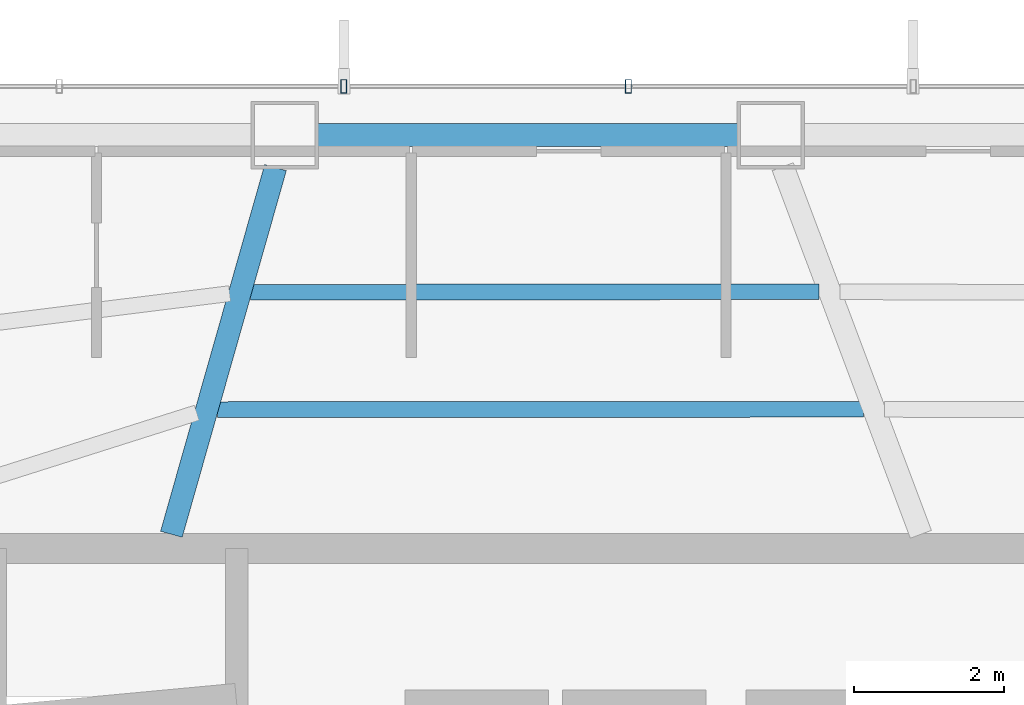
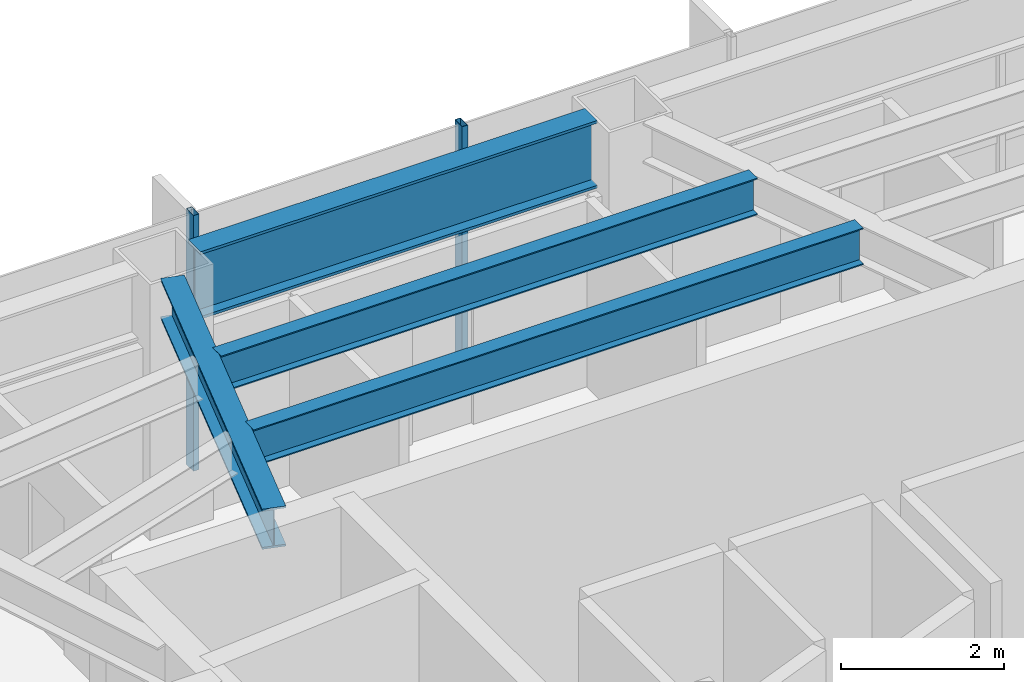
# One storey, part 12 of 25: 4 beams, 2 members, 1 element without a shape of its own.
"""IFC4 building model written with IfcOpenShell, lengths in metres."""

from ifc_helpers import new_model, si_unit, direction, frame, origin, origin_2d, place, context, subcontext, project, spatial, hollow_rectangle, i_section, extrude, material, layer, layer_set, material_profile, profile_set, type_object, element, aggregate, save


model = new_model("IFC4")

# Units and contexts
model_context = context("Model", 3, precision=1e-05, world=origin(), true_north=direction((0.0, 1.0)))
body_context = subcontext(model_context, "Body", "Model", "MODEL_VIEW")
ifc_project = project(units=[si_unit("LENGTHUNIT", "METRE"), si_unit("AREAUNIT", "SQUARE_METRE"), si_unit("VOLUMEUNIT", "CUBIC_METRE"), si_unit("PLANEANGLEUNIT", "RADIAN"), si_unit("MASSUNIT", "GRAM", prefix="KILO")], contexts=[model_context])

# Site, building, storey
site_placement = place(None, origin())
site = spatial("IfcSite", under=ifc_project, at=site_placement, CompositionType="ELEMENT")
building_placement = place(site_placement, origin())
building = spatial("IfcBuilding", under=site, at=building_placement, Name="Zarrinselat Tower", CompositionType="ELEMENT")
storey_placement = place(building_placement, frame((0.0, 0.0, 84.659912109375)))
storey = spatial("IfcBuildingStorey", under=building, at=storey_placement, Name="L20", CompositionType="ELEMENT", Elevation=84.659912109375)

# Beams
ifc_material_1 = material(Name="Steel S355J2", Category="steel")
ifc_material_profile_1 = material_profile(ifc_material_1, i_section(OverallWidth=0.300048828125, OverallDepth=0.60009765625, WebThickness=0.015380859375, FlangeThickness=0.030029296875, at=origin_2d()), Name="HEB 600")
ifc_profile_set_1 = profile_set([ifc_material_profile_1], Name="Steel S355J2")
beam_type_1 = type_object("IfcBeamType", Name="BM-HEB600", PredefinedType="BEAM", material=ifc_profile_set_1)
beam_1_placement = place(storey_placement, frame((31.0, 43.639892578125, 3.52001953125), z_axis=(0.273160985229, 0.961968334275, 0.0), x_axis=(-0.961968334275, 0.273160985229, 0.0)))
element("IfcBeam", 1, at=beam_1_placement, inside=storey, type_object=beam_type_1, Name="L20 Radial Primary Girder RG04", PredefinedType="BEAM", context=body_context, shape_type="SweptSolid", body=[
    extrude(i_section(OverallWidth=0.300048828125, OverallDepth=0.60009765625, WebThickness=0.015380859375, FlangeThickness=0.030029296875, at=origin_2d()), origin(), (0.0, 0.0, 1.0), 5.08544921875),
])
ifc_material_2 = material(Name="Steel S460M", Category="steel")
ifc_material_profile_2 = material_profile(ifc_material_2, i_section(OverallWidth=0.302001953125, OverallDepth=1.008056640625, WebThickness=0.02099609375, FlangeThickness=0.0400390625, at=origin_2d()), Name="HEM 1000")
ifc_profile_set_2 = profile_set([ifc_material_profile_2], Name="Steel S460M")
beam_type_2 = type_object("IfcBeamType", Name="BM-HEM1000", PredefinedType="BEAM", material=ifc_profile_set_2)
beam_2_placement = place(storey_placement, frame((32.95068359375, 48.966796875, 3.316162109375), z_axis=(1.0, 0.0, 0.0), x_axis=(0.0, 1.0, 0.0)))
element("IfcBeam", 2, at=beam_2_placement, inside=storey, type_object=beam_type_2, Name="L20 Perimeter Spandrel Girder SP03", PredefinedType="BEAM", context=body_context, shape_type="SweptSolid", body=[
    extrude(i_section(OverallWidth=0.302001953125, OverallDepth=1.008056640625, WebThickness=0.02099609375, FlangeThickness=0.0400390625, at=origin_2d()), origin(), (0.0, 0.0, 1.0), 5.609375),
])
ifc_material_3 = material(Name="Steel S355J2", Category="steel")
ifc_material_profile_3 = material_profile(ifc_material_3, i_section(OverallWidth=0.2099609375, OverallDepth=0.550048828125, WebThickness=0.010986328125, FlangeThickness=0.01708984375, at=origin_2d()), Name="IPE 550")
ifc_profile_set_3 = profile_set([ifc_material_profile_3], Name="Steel S355J2")
beam_type_3 = type_object("IfcBeamType", Name="BM-IPE550", PredefinedType="JOIST", material=ifc_profile_set_3)
beam_3_placement = place(storey_placement, frame((32.056884765625, 46.868896484375, 3.545166015625), z_axis=(0.999999533996, 0.000965405825, 0.0), x_axis=(-0.000965405825, 0.999999533996, 0.0)))
element("IfcBeam", 3, at=beam_3_placement, inside=storey, type_object=beam_type_3, Name="L20 Composite Floor Joist 8-1", PredefinedType="JOIST", context=body_context, shape_type="SweptSolid", body=[
    extrude(i_section(OverallWidth=0.2099609375, OverallDepth=0.550048828125, WebThickness=0.010986328125, FlangeThickness=0.01708984375, at=origin_2d()), origin(), (0.0, 0.0, 1.0), 7.586669921875),
])
beam_4_placement = place(storey_placement, frame((31.6123046875, 45.30322265625, 3.545166015625), z_axis=(0.999999897349, 0.000453103714, 0.0), x_axis=(-0.000453103714, 0.999999897349, 0.0)))
element("IfcBeam", 4, at=beam_4_placement, inside=storey, type_object=beam_type_3, Name="L20 Composite Floor Joist 8-2", PredefinedType="JOIST", context=body_context, shape_type="SweptSolid", body=[
    extrude(i_section(OverallWidth=0.2099609375, OverallDepth=0.550048828125, WebThickness=0.010986328125, FlangeThickness=0.01708984375, at=origin_2d()), origin(), (0.0, 0.0, 1.0), 8.62109375),
])

# Curtain wall, members
ifc_material_4 = material(Name="Extruded Aluminium Alloy EN AW-6063 T6", Category="aluminium")
ifc_layer = layer(ifc_material_4, 0.18505859375)
ifc_layer_set = layer_set([ifc_layer], Name="Extruded Aluminium Alloy EN AW-6063 T6")
curtain_wall_type = type_object("IfcCurtainWallType", Name="CWS-OFF", PredefinedType="NOTDEFINED", material=ifc_layer_set)
curtain_wall_placement = place(storey_placement, origin())
curtain_wall = element("IfcCurtainWall", 5, at=curtain_wall_placement, inside=storey, type_object=curtain_wall_type, Name="L20 Unitised Curtain Wall CW-L20-E01", PredefinedType="NOTDEFINED")
ifc_material_5 = material(Name="Extruded Aluminium Alloy EN AW-6063 T6", Category="aluminium")
ifc_material_profile_4 = material_profile(ifc_material_5, hollow_rectangle(XDim=0.080078125, YDim=0.179931640625, WallThickness=0.0048828125, at=origin_2d()), Name="RHS 180x80x5")
ifc_profile_set_4 = profile_set([ifc_material_profile_4], Name="Extruded Aluminium Alloy EN AW-6063 T6")
member_type = type_object("IfcMemberType", Name="MEM-CW-MUL", PredefinedType="MULLION", material=ifc_profile_set_4)
member_1_placement = place(storey_placement, frame((37.098876953125, 49.61669921875, 0.0), z_axis=(0.0, 0.0, 1.0), x_axis=(-1.0, 0.0, 0.0)))
member_1 = element("IfcMember", 6, at=member_1_placement, type_object=member_type, Name="CW-L20-E01 Mullion 4", PredefinedType="MULLION", context=body_context, shape_type="SweptSolid", body=[
    extrude(hollow_rectangle(XDim=0.080078125, YDim=0.179931640625, WallThickness=0.0048828125, at=origin_2d()), origin(), (0.0, 0.0, 1.0), 3.820068359375),
])
member_2_placement = place(storey_placement, frame((33.30078125, 49.61669921875, 0.0), z_axis=(0.0, 0.0, 1.0), x_axis=(-1.0, 0.0, 0.0)))
member_2 = element("IfcMember", 7, at=member_2_placement, type_object=member_type, Name="CW-L20-E01 Mullion 5", PredefinedType="MULLION", context=body_context, shape_type="SweptSolid", body=[
    extrude(hollow_rectangle(XDim=0.080078125, YDim=0.179931640625, WallThickness=0.0048828125, at=origin_2d()), origin(), (0.0, 0.0, 1.0), 3.820068359375),
])
aggregate(curtain_wall, [member_1, member_2])

save(model, "model.ifc")
